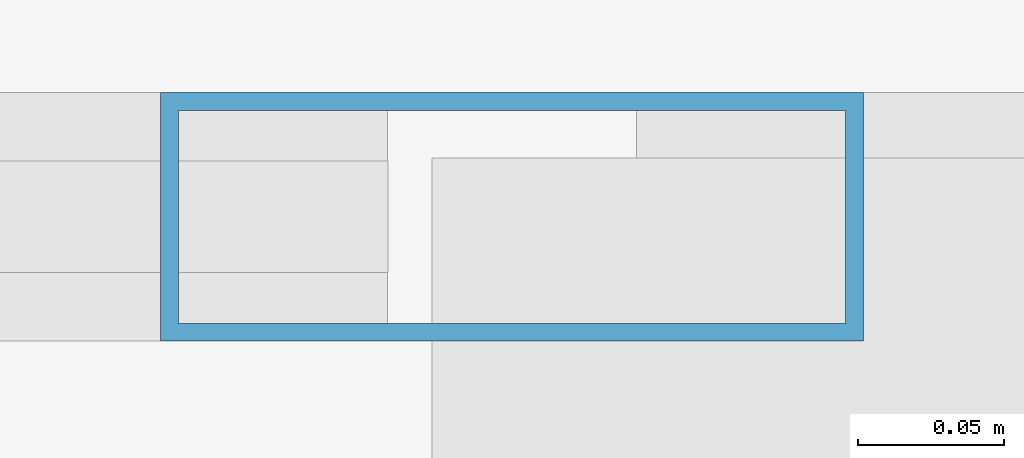
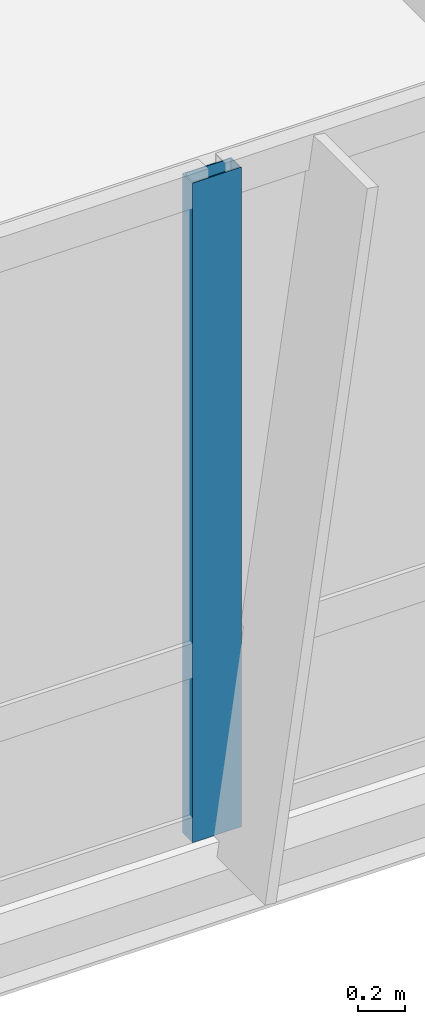
# One storey, part 9 of 29: 1 member, 1 element without a shape of its own.
"""IFC4 building model written with IfcOpenShell, lengths in metres."""

from ifc_helpers import new_model, si_unit, direction, frame, origin, origin_2d, place, context, subcontext, project, spatial, hollow_rectangle, extrude, material, material_profile, profile_set, type_object, element, aggregate, save


model = new_model("IFC4")

# Units and contexts
model_context = context("Model", 3, precision=1e-05, world=origin(), true_north=direction((0.0, 1.0)))
body_context = subcontext(model_context, "Body", "Model", "MODEL_VIEW")
ifc_project = project(units=[si_unit("LENGTHUNIT", "METRE"), si_unit("AREAUNIT", "SQUARE_METRE"), si_unit("VOLUMEUNIT", "CUBIC_METRE"), si_unit("PLANEANGLEUNIT", "RADIAN"), si_unit("MASSUNIT", "GRAM", prefix="KILO")], contexts=[model_context])

# Site, building, storey
site_placement = place(None, origin())
site = spatial("IfcSite", under=ifc_project, at=site_placement, CompositionType="ELEMENT")
building_placement = place(site_placement, origin())
building = spatial("IfcBuilding", under=site, at=building_placement, Name="Khoronbel Lancet Exchange", CompositionType="ELEMENT")
storey_placement = place(building_placement, frame((0.0, 0.0, 318.199951171875)))
storey = spatial("IfcBuildingStorey", under=building, at=storey_placement, Name="L82", CompositionType="ELEMENT", Elevation=318.199951171875)

# Curtain wall, member
ifc_material_1 = material(Name="Low-E Solar Control Insulating Glass", Category="glass")
curtain_wall_type = type_object("IfcCurtainWallType", Name="CW-3", PredefinedType="NOTDEFINED", material=ifc_material_1)
curtain_wall_placement = place(storey_placement, origin())
curtain_wall = element("IfcCurtainWall", 1, at=curtain_wall_placement, inside=storey, type_object=curtain_wall_type, Name="Unitised curtain wall CW-L82-SCV", PredefinedType="NOTDEFINED")
ifc_material_2 = material(Name="Bronze-Anodised Aluminium 6063-T6", Category="aluminium")
ifc_material_profile = material_profile(ifc_material_2, hollow_rectangle(XDim=0.0849609375, YDim=0.239990234375, WallThickness=0.006103515625, at=origin_2d()), Name="ALU MULLION 85x240")
ifc_profile_set = profile_set([ifc_material_profile], Name="Bronze-Anodised Aluminium 6063-T6")
member_type = type_object("IfcMemberType", Name="MEM-CWM1", PredefinedType="MULLION", material=ifc_profile_set)
member_placement = place(storey_placement, frame((36.449951171875, 9.7900390625, 0.0), z_axis=(0.0, 0.0, 1.0), x_axis=(0.0, 1.0, 0.0)))
member = element("IfcMember", 2, at=member_placement, type_object=member_type, Name="CW3 mullion 2", PredefinedType="MULLION", context=body_context, shape_type="SweptSolid", body=[
    extrude(hollow_rectangle(XDim=0.0849609375, YDim=0.239990234375, WallThickness=0.006103515625, at=origin_2d()), origin(), (0.0, 0.0, 1.0), 3.43994140625),
])
aggregate(curtain_wall, [member])

save(model, "model.ifc")
